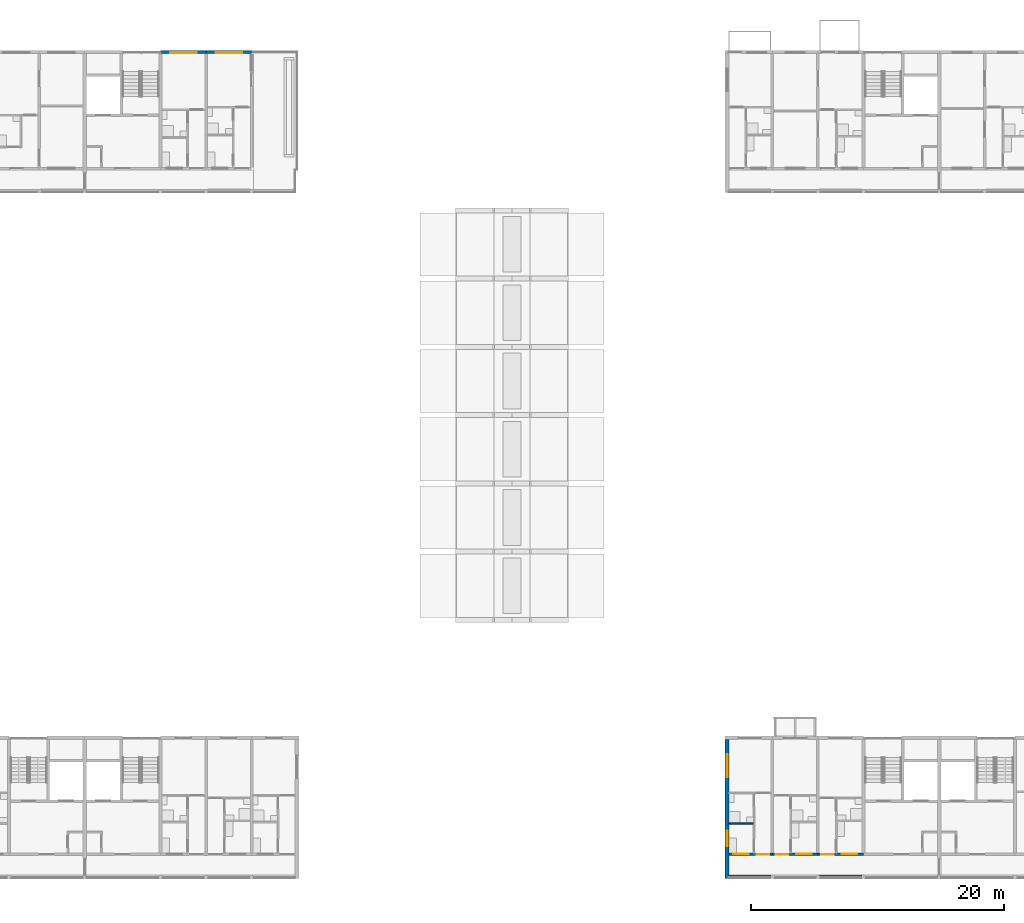
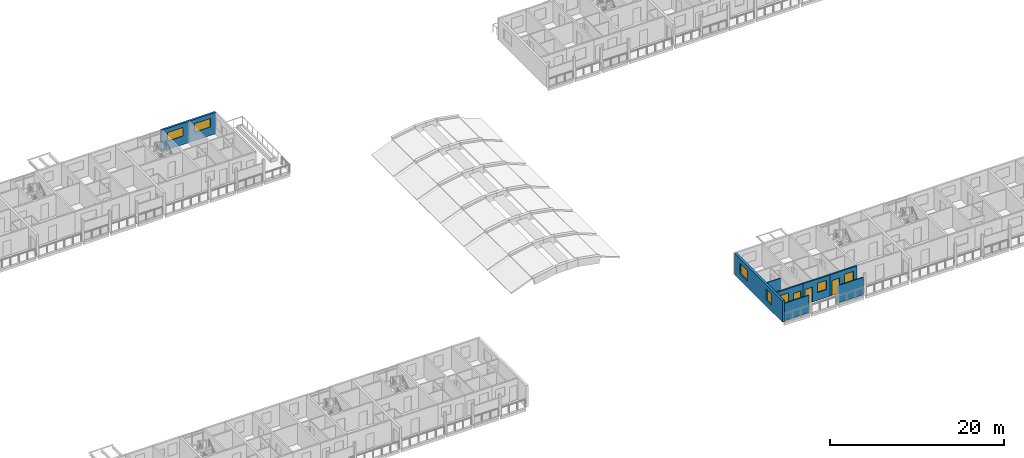
# One storey, part 44 of 93: 9 walls, 7 windows, 3 doors, 10 openings.
"""IFC4 building model written with IfcOpenShell, lengths in metres."""

from ifc_helpers import new_model, si_unit, direction, frame, frame_2d, origin, place, context, subcontext, project, spatial, rectangle, extrude, material, layer, layer_set, type_object, element, fill, save


model = new_model("IFC4")

# Units and contexts
model_context = context("Model", 3, precision=1e-05, world=origin(), true_north=direction((0.0, 1.0)))
body_context = subcontext(model_context, "Body", "Model", "MODEL_VIEW")
ifc_project = project(units=[si_unit("LENGTHUNIT", "METRE"), si_unit("AREAUNIT", "SQUARE_METRE"), si_unit("VOLUMEUNIT", "CUBIC_METRE"), si_unit("PLANEANGLEUNIT", "RADIAN"), si_unit("MASSUNIT", "GRAM", prefix="KILO")], contexts=[model_context])

# Site, building, storey
site_placement = place(None, origin())
site = spatial("IfcSite", under=ifc_project, at=site_placement, CompositionType="ELEMENT")
building_placement = place(site_placement, origin())
building = spatial("IfcBuilding", under=site, at=building_placement, Name="Ridgestep Commons", CompositionType="ELEMENT")
storey_placement = place(building_placement, frame((0.0, 0.0, 18.0)))
storey = spatial("IfcBuildingStorey", under=building, at=storey_placement, Name="L06", CompositionType="ELEMENT", Elevation=18.0)

# Wall, openings, windows
ifc_material_1 = material(Name="Precast concrete C40/50", Category="concrete")
ifc_layer_1 = layer(ifc_material_1, 0.300048828125)
ifc_layer_set_1 = layer_set([ifc_layer_1], Name="Exposed division wall 300")
wall_type_1 = type_object("IfcWallType", Name="Exposed division wall 300", PredefinedType="SHEAR", material=ifc_layer_set_1)
wall_1_placement = place(storey_placement, frame((146.800048828125, 11.75, 0.0), z_axis=(0.0, 0.0, 1.0), x_axis=(0.0, 1.0, 0.0)))
wall_1 = element("IfcWall", 1, at=wall_1_placement, inside=storey, type_object=wall_type_1, Name="Cross wall D-06-1468", PredefinedType="SHEAR", context=body_context, shape_type="SweptSolid", body=[
    extrude(rectangle(XDim=11.0, YDim=0.300048828125, at=frame_2d((5.5, 0.0))), origin(), (0.0, 0.0, 1.0), 3.0),
])
opening_1_placement = place(wall_1_placement, frame((2.550048828125, 0.0, 0.89990234375)))
opening_1 = element("IfcOpeningElement", 2, at=opening_1_placement, cuts=wall_1, Name="Opening W10", PredefinedType="OPENING", context=body_context, shape_type="SweptSolid", body=[
    extrude(rectangle(XDim=1.199951171875, YDim=1.5, at=frame_2d((0.60009765625, 0.75))), frame((0.0, 0.159912109375, 0.0), z_axis=(0.0, -1.0, 0.0), x_axis=(1.0, 0.0, 0.0)), (0.0, 0.0, 1.0), 0.320068359375),
])
opening_2_placement = place(wall_1_placement, frame((8.0048828125, 0.0, 0.89990234375)))
opening_2 = element("IfcOpeningElement", 3, at=opening_2_placement, cuts=wall_1, Name="Opening W20", PredefinedType="OPENING", context=body_context, shape_type="SweptSolid", body=[
    extrude(rectangle(XDim=1.800048828125, YDim=1.5, at=frame_2d((0.89990234375, 0.75))), frame((0.0, 0.159912109375, 0.0), z_axis=(0.0, -1.0, 0.0), x_axis=(1.0, 0.0, 0.0)), (0.0, 0.0, 1.0), 0.320068359375),
])
ifc_material_2 = material(Name="Aluminium 6063-T6 and glass", Category="aluminium")
window_type_1 = type_object("IfcWindowType", Name="Flat window 1200 x 1500", PartitioningType="SINGLE_PANEL", PredefinedType="WINDOW", material=ifc_material_2)
window_1_placement = place(opening_1_placement, origin())
window_1 = element("IfcWindow", 4, at=window_1_placement, inside=storey, type_object=window_type_1, Name="Window D1-06a 3", OverallHeight=1.5, OverallWidth=1.199951171875, PartitioningType="SINGLE_PANEL", PredefinedType="WINDOW", context=body_context, shape_type="SweptSolid", body=[
    extrude(rectangle(XDim=1.199951171875, YDim=1.5, at=frame_2d((0.60009765625, 0.75))), frame((0.0, 0.0, 0.0), z_axis=(0.0, -1.0, 0.0), x_axis=(1.0, 0.0, 0.0)), (0.0, 0.0, 1.0), 0.06005859375),
])
fill(opening_1, window_1)
ifc_material_3 = material(Name="Aluminium 6063-T6 and glass", Category="aluminium")
window_type_2 = type_object("IfcWindowType", Name="Flat window 1800 x 1500", PartitioningType="DOUBLE_PANEL_VERTICAL", PredefinedType="WINDOW", material=ifc_material_3)
window_2_placement = place(opening_2_placement, origin())
window_2 = element("IfcWindow", 5, at=window_2_placement, inside=storey, type_object=window_type_2, Name="Window D1-06a 4", OverallHeight=1.5, OverallWidth=1.800048828125, PartitioningType="SINGLE_PANEL", PredefinedType="WINDOW", context=body_context, shape_type="SweptSolid", body=[
    extrude(rectangle(XDim=1.800048828125, YDim=1.5, at=frame_2d((0.89990234375, 0.75))), frame((0.0, 0.0, 0.0), z_axis=(0.0, -1.0, 0.0), x_axis=(1.0, 0.0, 0.0)), (0.0, 0.0, 1.0), 0.06005859375),
])
fill(opening_2, window_2)

# Wall, opening, window
ifc_material_4 = material(Name="Precast concrete C40/50", Category="concrete")
ifc_layer_2 = layer(ifc_material_4, 0.25)
ifc_layer_set_2 = layer_set([ifc_layer_2], Name="North facade panel 250")
wall_type_2 = type_object("IfcWallType", Name="North facade panel 250", PredefinedType="SOLIDWALL", material=ifc_layer_set_2)
wall_2_placement = place(storey_placement, frame((102.0, 77.125, 0.0), z_axis=(0.0, 0.0, 1.0), x_axis=(1.0, 0.0, 0.0)))
wall_2 = element("IfcWall", 6, at=wall_2_placement, inside=storey, type_object=wall_type_2, Name="North panel B6T3 L06", PredefinedType="SOLIDWALL", context=body_context, shape_type="SweptSolid", body=[
    extrude(rectangle(XDim=3.60009765625, YDim=0.25, at=frame_2d((1.800048828125, 0.0))), origin(), (0.0, 0.0, 1.0), 3.0),
])
opening_3_placement = place(wall_2_placement, frame((0.762451171875, 0.0, 1.199951171875)))
opening_3 = element("IfcOpeningElement", 7, at=opening_3_placement, cuts=wall_2, Name="Opening W22", PredefinedType="OPENING", context=body_context, shape_type="SweptSolid", body=[
    extrude(rectangle(XDim=2.10009765625, YDim=1.199951171875, at=frame_2d((1.050048828125, 0.60009765625))), frame((0.0, 0.135009765625, 0.0), z_axis=(0.0, -1.0, 0.0), x_axis=(1.0, 0.0, 0.0)), (0.0, 0.0, 1.0), 0.27001953125),
])
ifc_material_5 = material(Name="Aluminium 6063-T6 and glass", Category="aluminium")
window_type_3 = type_object("IfcWindowType", Name="Flat window 2100 x 1200", PartitioningType="DOUBLE_PANEL_VERTICAL", PredefinedType="WINDOW", material=ifc_material_5)
window_3_placement = place(opening_3_placement, origin())
window_3 = element("IfcWindow", 8, at=window_3_placement, inside=storey, type_object=window_type_3, Name="Window B6-06b 2", OverallHeight=1.199951171875, OverallWidth=2.10009765625, PartitioningType="SINGLE_PANEL", PredefinedType="WINDOW", context=body_context, shape_type="SweptSolid", body=[
    extrude(rectangle(XDim=2.10009765625, YDim=1.199951171875, at=frame_2d((1.050048828125, 0.60009765625))), frame((0.0, -0.02490234375, 0.0), z_axis=(0.0, -1.0, 0.0), x_axis=(1.0, 0.0, 0.0)), (0.0, 0.0, 1.0), 0.06005859375),
])
fill(opening_3, window_3)

wall_3_placement = place(storey_placement, frame((105.60009765625, 77.125, 0.0), z_axis=(0.0, 0.0, 1.0), x_axis=(1.0, 0.0, 0.0)))
wall_3 = element("IfcWall", 9, at=wall_3_placement, inside=storey, type_object=wall_type_2, Name="North panel B6T2 L06", PredefinedType="SOLIDWALL", context=body_context, shape_type="SweptSolid", body=[
    extrude(rectangle(XDim=3.599853515625, YDim=0.25, at=frame_2d((1.7998046875, 0.0))), origin(), (0.0, 0.0, 1.0), 3.0),
])
opening_4_placement = place(wall_3_placement, frame((0.75, 0.0, 1.199951171875)))
opening_4 = element("IfcOpeningElement", 10, at=opening_4_placement, cuts=wall_3, Name="Opening W22", PredefinedType="OPENING", context=body_context, shape_type="SweptSolid", body=[
    extrude(rectangle(XDim=2.10009765625, YDim=1.199951171875, at=frame_2d((1.050048828125, 0.60009765625))), frame((0.0, 0.135009765625, 0.0), z_axis=(0.0, -1.0, 0.0), x_axis=(1.0, 0.0, 0.0)), (0.0, 0.0, 1.0), 0.27001953125),
])
window_4_placement = place(opening_4_placement, origin())
window_4 = element("IfcWindow", 11, at=window_4_placement, inside=storey, type_object=window_type_3, Name="Window B6-06a 2", OverallHeight=1.199951171875, OverallWidth=2.10009765625, PartitioningType="SINGLE_PANEL", PredefinedType="WINDOW", context=body_context, shape_type="SweptSolid", body=[
    extrude(rectangle(XDim=2.10009765625, YDim=1.199951171875, at=frame_2d((1.050048828125, 0.60009765625))), frame((0.0, -0.02490234375, 0.0), z_axis=(0.0, -1.0, 0.0), x_axis=(1.0, 0.0, 0.0)), (0.0, 0.0, 1.0), 0.06005859375),
])
fill(opening_4, window_4)

# Walls
ifc_material_6 = material(Name="Common brick 110 mm", Category="masonry")
ifc_layer_3 = layer(ifc_material_6, 0.110107421875)
ifc_layer_set_3 = layer_set([ifc_layer_3], Name="Partition 110")
wall_type_3 = type_object("IfcWallType", Name="Partition 110", PredefinedType="PARTITIONING", material=ifc_layer_set_3)
wall_4_placement = place(storey_placement, frame((146.949951171875, 16.10498046875, 0.0), z_axis=(0.0, 0.0, 1.0), x_axis=(1.0, 0.0, 0.0)))
element("IfcWall", 12, at=wall_4_placement, inside=storey, type_object=wall_type_3, Name="Partition D1-06a", PredefinedType="PARTITIONING", context=body_context, shape_type="SweptSolid", body=[
    extrude(rectangle(XDim=1.93994140625, YDim=0.110107421875, at=frame_2d((0.969970703125, 0.0))), origin(), (0.0, 0.0, 1.0), 2.800048828125),
])
ifc_material_7 = material(Name="Precast concrete C30/37", Category="concrete")
ifc_layer_4 = layer(ifc_material_7, 0.10009765625)
ifc_layer_set_4 = layer_set([ifc_layer_4], Name="Perforated gallery screen 3325 x 2450 x 100")
wall_type_4 = type_object("IfcWallType", Name="Perforated gallery screen 3325 x 2450 x 100", PredefinedType="SOLIDWALL", material=ifc_layer_set_4)
wall_5_placement = place(storey_placement, frame((146.949951171875, 11.949951171875, 0.0), z_axis=(0.0, 0.0, 1.0), x_axis=(1.0, 0.0, 0.0)))
element("IfcWall", 13, at=wall_5_placement, inside=storey, type_object=wall_type_4, Name="Gallery screen D1T1 06", PredefinedType="SOLIDWALL", context=body_context, shape_type="SweptSolid", body=[
    extrude(rectangle(XDim=3.324951171875, YDim=0.10009765625, at=frame_2d((1.66259765625, 0.0))), origin(), (0.0, 0.0, 1.0), 2.449951171875),
])
ifc_material_8 = material(Name="Precast concrete C30/37", Category="concrete")
ifc_layer_5 = layer(ifc_material_8, 0.10009765625)
ifc_layer_set_5 = layer_set([ifc_layer_5], Name="Perforated gallery screen 3350 x 2450 x 100")
wall_type_5 = type_object("IfcWallType", Name="Perforated gallery screen 3350 x 2450 x 100", PredefinedType="SOLIDWALL", material=ifc_layer_set_5)
wall_6_placement = place(storey_placement, frame((154.125, 11.949951171875, 0.0), z_axis=(0.0, 0.0, 1.0), x_axis=(1.0, 0.0, 0.0)))
element("IfcWall", 14, at=wall_6_placement, inside=storey, type_object=wall_type_5, Name="Gallery screen D1T3 06", PredefinedType="SOLIDWALL", context=body_context, shape_type="SweptSolid", body=[
    extrude(rectangle(XDim=3.35009765625, YDim=0.10009765625, at=frame_2d((1.675048828125, 0.0))), origin(), (0.0, 0.0, 1.0), 2.449951171875),
])

# Wall, openings, door, window
ifc_material_9 = material(Name="Precast concrete C40/50", Category="concrete")
ifc_layer_6 = layer(ifc_material_9, 0.199951171875)
ifc_layer_set_6 = layer_set([ifc_layer_6], Name="South facade panel 200")
wall_type_6 = type_object("IfcWallType", Name="South facade panel 200", PredefinedType="SOLIDWALL", material=ifc_layer_set_6)
wall_7_placement = place(storey_placement, frame((146.949951171875, 13.64990234375, 0.0), z_axis=(0.0, 0.0, 1.0), x_axis=(1.0, 0.0, 0.0)))
wall_7 = element("IfcWall", 15, at=wall_7_placement, inside=storey, type_object=wall_type_6, Name="South panel D1T1 L06", PredefinedType="SOLIDWALL", context=body_context, shape_type="SweptSolid", body=[
    extrude(rectangle(XDim=3.449951171875, YDim=0.199951171875, at=frame_2d((1.72509765625, 0.0))), origin(), (0.0, 0.0, 1.0), 3.0),
])
opening_5_placement = place(wall_7_placement, frame((0.3701171875, 0.0, 1.10009765625)))
opening_5 = element("IfcOpeningElement", 16, at=opening_5_placement, cuts=wall_7, Name="Opening W08", PredefinedType="OPENING", context=body_context, shape_type="SweptSolid", body=[
    extrude(rectangle(XDim=1.199951171875, YDim=1.300048828125, at=frame_2d((0.60009765625, 0.64990234375))), frame((0.0, 0.10986328125, 0.0), z_axis=(0.0, -1.0, 0.0), x_axis=(1.0, 0.0, 0.0)), (0.0, 0.0, 1.0), 0.219970703125),
])
opening_6_placement = place(wall_7_placement, frame((2.199951171875, 0.0, 0.0)))
opening_6 = element("IfcOpeningElement", 17, at=opening_6_placement, cuts=wall_7, Name="Opening D1-06a/1", PredefinedType="OPENING", context=body_context, shape_type="SweptSolid", body=[
    extrude(rectangle(XDim=1.0, YDim=2.10009765625, at=frame_2d((0.5, 1.050048828125))), frame((0.0, 0.10986328125, 0.0), z_axis=(0.0, -1.0, 0.0), x_axis=(1.0, 0.0, 0.0)), (0.0, 0.0, 1.0), 0.219970703125),
])
ifc_material_10 = material(Name="Timber door leaf", Category="wood")
door_type = type_object("IfcDoorType", Name="Flat entrance door 1000 x 2100 FD30S", OperationType="NOTDEFINED", PredefinedType="DOOR", material=ifc_material_10)
door_1_placement = place(opening_6_placement, origin())
door_1 = element("IfcDoor", 18, at=door_1_placement, inside=storey, type_object=door_type, Name="Flat entrance door D1-06a/1", OperationType="SINGLE_SWING_RIGHT", OverallHeight=2.10009765625, OverallWidth=1.0, PredefinedType="DOOR", context=body_context, shape_type="SweptSolid", body=[
    extrude(rectangle(XDim=1.0, YDim=2.10009765625, at=frame_2d((0.5, 1.050048828125))), frame((0.0, 0.02490234375, 0.0), z_axis=(0.0, -1.0, 0.0), x_axis=(1.0, 0.0, 0.0)), (0.0, 0.0, 1.0), 0.050048828125),
])
fill(opening_6, door_1)
ifc_material_11 = material(Name="Aluminium 6063-T6 and glass", Category="aluminium")
window_type_4 = type_object("IfcWindowType", Name="Flat window 1200 x 1300", PartitioningType="SINGLE_PANEL", PredefinedType="WINDOW", material=ifc_material_11)
window_5_placement = place(opening_5_placement, origin())
window_5 = element("IfcWindow", 19, at=window_5_placement, inside=storey, type_object=window_type_4, Name="Window D1-06a 1", OverallHeight=1.300048828125, OverallWidth=1.199951171875, PartitioningType="SINGLE_PANEL", PredefinedType="WINDOW", context=body_context, shape_type="SweptSolid", body=[
    extrude(rectangle(XDim=1.199951171875, YDim=1.300048828125, at=frame_2d((0.60009765625, 0.64990234375))), frame((0.0, 0.06005859375, 0.0), z_axis=(0.0, -1.0, 0.0), x_axis=(1.0, 0.0, 0.0)), (0.0, 0.0, 1.0), 0.06005859375),
])
fill(opening_5, window_5)

wall_8_placement = place(storey_placement, frame((150.39990234375, 13.64990234375, 0.0), z_axis=(0.0, 0.0, 1.0), x_axis=(1.0, 0.0, 0.0)))
wall_8 = element("IfcWall", 20, at=wall_8_placement, inside=storey, type_object=wall_type_6, Name="South panel D1T2 L06", PredefinedType="SOLIDWALL", context=body_context, shape_type="SweptSolid", body=[
    extrude(rectangle(XDim=3.60009765625, YDim=0.199951171875, at=frame_2d((1.800048828125, 0.0))), origin(), (0.0, 0.0, 1.0), 3.0),
])
opening_7_placement = place(wall_8_placement, frame((1.905029296875, 0.0, 1.10009765625)))
opening_7 = element("IfcOpeningElement", 21, at=opening_7_placement, cuts=wall_8, Name="Opening W08", PredefinedType="OPENING", context=body_context, shape_type="SweptSolid", body=[
    extrude(rectangle(XDim=1.199951171875, YDim=1.300048828125, at=frame_2d((0.60009765625, 0.64990234375))), frame((0.0, 0.10986328125, 0.0), z_axis=(0.0, -1.0, 0.0), x_axis=(1.0, 0.0, 0.0)), (0.0, 0.0, 1.0), 0.219970703125),
])
opening_8_placement = place(wall_8_placement, frame((0.25, 0.0, 0.0)))
opening_8 = element("IfcOpeningElement", 22, at=opening_8_placement, cuts=wall_8, Name="Opening D1-06b/1", PredefinedType="OPENING", context=body_context, shape_type="SweptSolid", body=[
    extrude(rectangle(XDim=1.0, YDim=2.10009765625, at=frame_2d((0.5, 1.050048828125))), frame((0.0, 0.10986328125, 0.0), z_axis=(0.0, -1.0, 0.0), x_axis=(1.0, 0.0, 0.0)), (0.0, 0.0, 1.0), 0.219970703125),
])
door_2_placement = place(opening_8_placement, origin())
door_2 = element("IfcDoor", 23, at=door_2_placement, inside=storey, type_object=door_type, Name="Flat entrance door D1-06b/1", OperationType="SINGLE_SWING_LEFT", OverallHeight=2.10009765625, OverallWidth=1.0, PredefinedType="DOOR", context=body_context, shape_type="SweptSolid", body=[
    extrude(rectangle(XDim=1.0, YDim=2.10009765625, at=frame_2d((0.5, 1.050048828125))), frame((0.0, 0.02490234375, 0.0), z_axis=(0.0, -1.0, 0.0), x_axis=(1.0, 0.0, 0.0)), (0.0, 0.0, 1.0), 0.050048828125),
])
fill(opening_8, door_2)
window_6_placement = place(opening_7_placement, origin())
window_6 = element("IfcWindow", 24, at=window_6_placement, inside=storey, type_object=window_type_4, Name="Window D1-06b 1", OverallHeight=1.300048828125, OverallWidth=1.199951171875, PartitioningType="SINGLE_PANEL", PredefinedType="WINDOW", context=body_context, shape_type="SweptSolid", body=[
    extrude(rectangle(XDim=1.199951171875, YDim=1.300048828125, at=frame_2d((0.60009765625, 0.64990234375))), frame((0.0, 0.06005859375, 0.0), z_axis=(0.0, -1.0, 0.0), x_axis=(1.0, 0.0, 0.0)), (0.0, 0.0, 1.0), 0.06005859375),
])
fill(opening_7, window_6)

wall_9_placement = place(storey_placement, frame((154.0, 13.64990234375, 0.0), z_axis=(0.0, 0.0, 1.0), x_axis=(1.0, 0.0, 0.0)))
wall_9 = element("IfcWall", 25, at=wall_9_placement, inside=storey, type_object=wall_type_6, Name="South panel D1T3 L06", PredefinedType="SOLIDWALL", context=body_context, shape_type="SweptSolid", body=[
    extrude(rectangle(XDim=3.60009765625, YDim=0.199951171875, at=frame_2d((1.800048828125, 0.0))), origin(), (0.0, 0.0, 1.0), 3.0),
])
opening_9_placement = place(wall_9_placement, frame((1.892578125, 0.0, 1.10009765625)))
opening_9 = element("IfcOpeningElement", 26, at=opening_9_placement, cuts=wall_9, Name="Opening W08", PredefinedType="OPENING", context=body_context, shape_type="SweptSolid", body=[
    extrude(rectangle(XDim=1.199951171875, YDim=1.300048828125, at=frame_2d((0.60009765625, 0.64990234375))), frame((0.0, 0.10986328125, 0.0), z_axis=(0.0, -1.0, 0.0), x_axis=(1.0, 0.0, 0.0)), (0.0, 0.0, 1.0), 0.219970703125),
])
opening_10_placement = place(wall_9_placement, frame((0.25, 0.0, 0.0)))
opening_10 = element("IfcOpeningElement", 27, at=opening_10_placement, cuts=wall_9, Name="Opening D1-06c/1", PredefinedType="OPENING", context=body_context, shape_type="SweptSolid", body=[
    extrude(rectangle(XDim=1.0, YDim=2.10009765625, at=frame_2d((0.5, 1.050048828125))), frame((0.0, 0.10986328125, 0.0), z_axis=(0.0, -1.0, 0.0), x_axis=(1.0, 0.0, 0.0)), (0.0, 0.0, 1.0), 0.219970703125),
])
door_3_placement = place(opening_10_placement, origin())
door_3 = element("IfcDoor", 28, at=door_3_placement, inside=storey, type_object=door_type, Name="Flat entrance door D1-06c/1", OperationType="SINGLE_SWING_LEFT", OverallHeight=2.10009765625, OverallWidth=1.0, PredefinedType="DOOR", context=body_context, shape_type="SweptSolid", body=[
    extrude(rectangle(XDim=1.0, YDim=2.10009765625, at=frame_2d((0.5, 1.050048828125))), frame((0.0, 0.02490234375, 0.0), z_axis=(0.0, -1.0, 0.0), x_axis=(1.0, 0.0, 0.0)), (0.0, 0.0, 1.0), 0.050048828125),
])
fill(opening_10, door_3)
window_7_placement = place(opening_9_placement, origin())
window_7 = element("IfcWindow", 29, at=window_7_placement, inside=storey, type_object=window_type_4, Name="Window D1-06c 1", OverallHeight=1.300048828125, OverallWidth=1.199951171875, PartitioningType="SINGLE_PANEL", PredefinedType="WINDOW", context=body_context, shape_type="SweptSolid", body=[
    extrude(rectangle(XDim=1.199951171875, YDim=1.300048828125, at=frame_2d((0.60009765625, 0.64990234375))), frame((0.0, 0.06005859375, 0.0), z_axis=(0.0, -1.0, 0.0), x_axis=(1.0, 0.0, 0.0)), (0.0, 0.0, 1.0), 0.06005859375),
])
fill(opening_9, window_7)

save(model, "model.ifc")
